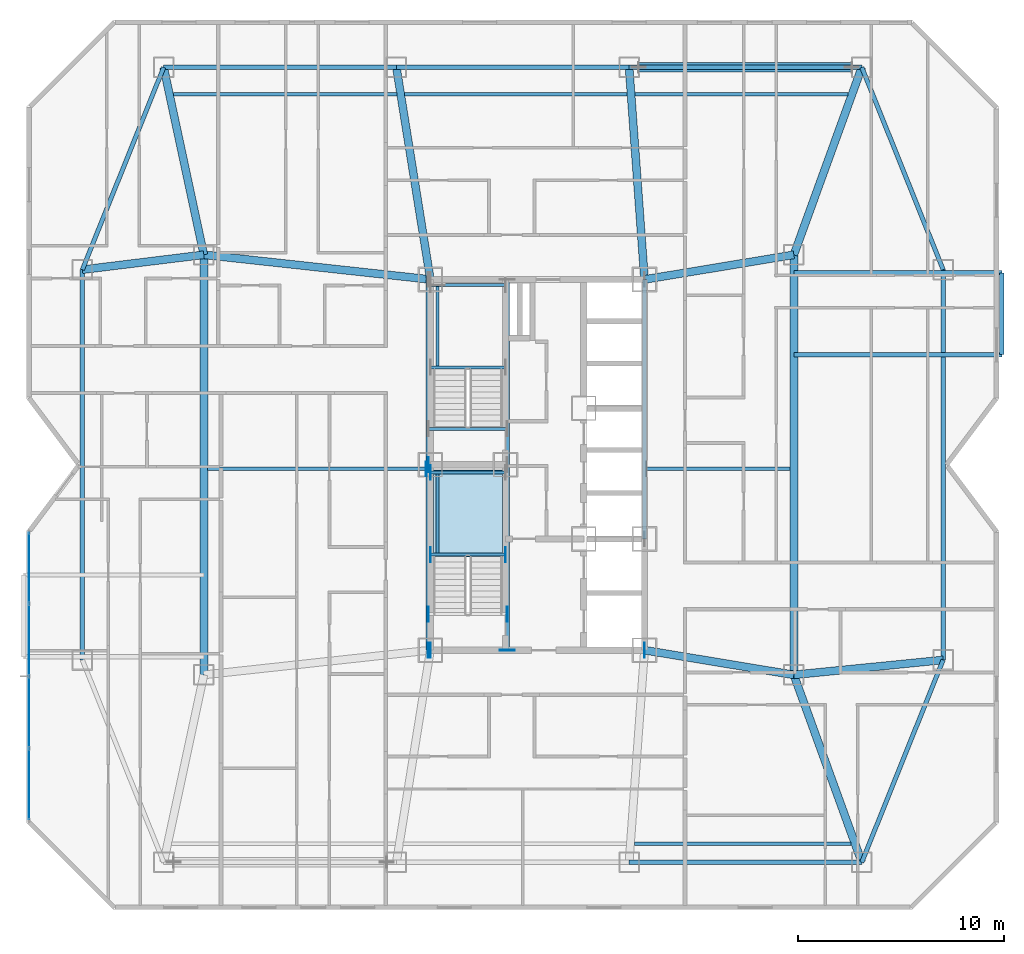
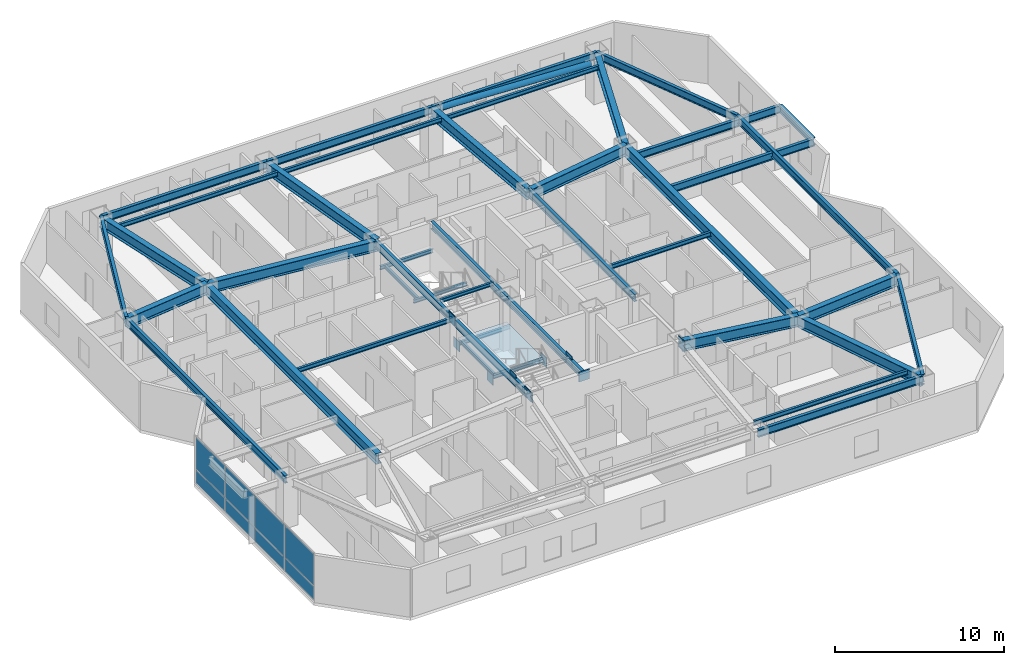
# One storey, part 7 of 18: 42 beams, 20 plates, 1 member, 1 slab, 2 elements without a shape of their own.
"""IFC4 building model written with IfcOpenShell, lengths in metres."""

from ifc_helpers import new_model, si_unit, direction, frame, origin, origin_2d, place, context, subcontext, project, spatial, polyline, rectangle, hollow_circle, i_section, outline, extrude, material, layer, layer_set, material_profile, profile_set, type_object, element, aggregate, save


model = new_model("IFC4")

# Units and contexts
model_context = context("Model", 3, precision=1e-05, world=origin(), true_north=direction((0.0, 1.0)))
body_context = subcontext(model_context, "Body", "Model", "MODEL_VIEW")
ifc_project = project(units=[si_unit("LENGTHUNIT", "METRE"), si_unit("AREAUNIT", "SQUARE_METRE"), si_unit("VOLUMEUNIT", "CUBIC_METRE"), si_unit("PLANEANGLEUNIT", "RADIAN"), si_unit("MASSUNIT", "GRAM", prefix="KILO")], contexts=[model_context])

# Site, building, storey
site_placement = place(None, origin())
site = spatial("IfcSite", under=ifc_project, at=site_placement, CompositionType="ELEMENT")
building_placement = place(site_placement, origin())
building = spatial("IfcBuilding", under=site, at=building_placement, Name="Khamvora Tower", CompositionType="ELEMENT")
storey_placement = place(building_placement, frame((0.0, 0.0, 109.199951171875)))
storey = spatial("IfcBuildingStorey", under=building, at=storey_placement, Name="L27", CompositionType="ELEMENT", Elevation=109.199951171875)

# Beams
ifc_material_1 = material(Name="Steel S355", Category="steel")
ifc_material_profile_1 = material_profile(ifc_material_1, i_section(OverallWidth=0.166015625, OverallDepth=0.31298828125, WebThickness=0.007080078125, FlangeThickness=0.010986328125, FilletRadius=0.010009765625, at=origin_2d()), Name="W310x45")
ifc_profile_set_1 = profile_set([ifc_material_profile_1], Name="Steel S355")
beam_type_1 = type_object("IfcBeamType", Name="BM-JS-W310x45", PredefinedType="JOIST", material=ifc_profile_set_1)
beam_1_placement = place(storey_placement, frame((38.902099609375, 9.60009765625, 3.274169921875), z_axis=(1.0, 0.0, 0.0), x_axis=(0.0, 1.0, 0.0)))
element("IfcBeam", 1, at=beam_1_placement, inside=storey, type_object=beam_type_1, Name="L27 secondary floor joist 03", PredefinedType="JOIST", context=body_context, shape_type="SweptSolid", body=[
    extrude(i_section(OverallWidth=0.166015625, OverallDepth=0.31298828125, WebThickness=0.007080078125, FlangeThickness=0.010986328125, FilletRadius=0.010009765625, at=origin_2d()), origin(), (0.0, 0.0, 1.0), 10.52392578125),
])
beam_2_placement = place(storey_placement, frame((18.18603515625, 27.800048828125, 3.274169921875), z_axis=(1.0, 0.0, 0.0), x_axis=(0.0, 1.0, 0.0)))
element("IfcBeam", 2, at=beam_2_placement, inside=storey, type_object=beam_type_1, Name="L27 secondary floor joist 04", PredefinedType="JOIST", context=body_context, shape_type="SweptSolid", body=[
    extrude(i_section(OverallWidth=0.166015625, OverallDepth=0.31298828125, WebThickness=0.007080078125, FlangeThickness=0.010986328125, FilletRadius=0.010009765625, at=origin_2d()), origin(), (0.0, 0.0, 1.0), 10.614013671875),
])
beam_3_placement = place(storey_placement, frame((39.4990234375, 27.800048828125, 3.274169921875), z_axis=(1.0, 0.0, 0.0), x_axis=(0.0, 1.0, 0.0)))
element("IfcBeam", 3, at=beam_3_placement, inside=storey, type_object=beam_type_1, Name="L27 secondary floor joist 05", PredefinedType="JOIST", context=body_context, shape_type="SweptSolid", body=[
    extrude(i_section(OverallWidth=0.166015625, OverallDepth=0.31298828125, WebThickness=0.007080078125, FlangeThickness=0.010986328125, FilletRadius=0.010009765625, at=origin_2d()), origin(), (0.0, 0.0, 1.0), 6.966064453125),
])
beam_4_placement = place(storey_placement, frame((16.51806640625, 46.0, 3.274169921875), z_axis=(1.0, 0.0, 0.0), x_axis=(0.0, 1.0, 0.0)))
element("IfcBeam", 4, at=beam_4_placement, inside=storey, type_object=beam_type_1, Name="L27 secondary floor joist 06", PredefinedType="JOIST", context=body_context, shape_type="SweptSolid", body=[
    extrude(i_section(OverallWidth=0.166015625, OverallDepth=0.31298828125, WebThickness=0.007080078125, FlangeThickness=0.010986328125, FilletRadius=0.010009765625, at=origin_2d()), origin(), (0.0, 0.0, 1.0), 10.85205078125),
])
beam_5_placement = place(storey_placement, frame((27.74609375, 46.0, 3.274169921875), z_axis=(1.0, 0.0, 0.0), x_axis=(0.0, 1.0, 0.0)))
element("IfcBeam", 5, at=beam_5_placement, inside=storey, type_object=beam_type_1, Name="L27 secondary floor joist 07", PredefinedType="JOIST", context=body_context, shape_type="SweptSolid", body=[
    extrude(i_section(OverallWidth=0.166015625, OverallDepth=0.31298828125, WebThickness=0.007080078125, FlangeThickness=0.010986328125, FilletRadius=0.010009765625, at=origin_2d()), origin(), (0.0, 0.0, 1.0), 10.81298828125),
])
beam_6_placement = place(storey_placement, frame((38.930908203125, 46.0, 3.274169921875), z_axis=(1.0, 0.0, 0.0), x_axis=(0.0, 1.0, 0.0)))
element("IfcBeam", 6, at=beam_6_placement, inside=storey, type_object=beam_type_1, Name="L27 secondary floor joist 08", PredefinedType="JOIST", context=body_context, shape_type="SweptSolid", body=[
    extrude(i_section(OverallWidth=0.166015625, OverallDepth=0.31298828125, WebThickness=0.007080078125, FlangeThickness=0.010986328125, FilletRadius=0.010009765625, at=origin_2d()), origin(), (0.0, 0.0, 1.0), 10.35009765625),
])
ifc_material_profile_2 = material_profile(ifc_material_1, i_section(OverallWidth=0.14697265625, OverallDepth=0.261962890625, WebThickness=0.007080078125, FlangeThickness=0.010986328125, FilletRadius=0.008056640625, at=origin_2d()), Name="W250x39")
ifc_profile_set_2 = profile_set([ifc_material_profile_2], Name="Steel S355")
beam_type_2 = type_object("IfcBeamType", Name="BM-LN-W250x39", PredefinedType="LINTEL", material=ifc_profile_set_2)
for number, where, z_axis, x_axis, name in (
    (7, (29.0, 23.635009765625, 1.494140625), (1.0, 0.0, 0.0), (0.0, 1.0, 0.0), "L27 ST-01 half-landing support beam 1.1"),
    (8, (29.0, 27.6298828125, 1.494140625), (1.0, 0.0, 0.0), (0.0, 1.0, 0.0), "L27 ST-01 half-landing support beam 1.2"),
):
    element("IfcBeam", number, at=place(storey_placement, frame(where, z_axis=z_axis, x_axis=x_axis)), inside=storey, type_object=beam_type_2, Name=name, PredefinedType="LINTEL", context=body_context, shape_type="SweptSolid", body=[
        extrude(i_section(OverallWidth=0.14697265625, OverallDepth=0.261962890625, WebThickness=0.007080078125, FlangeThickness=0.010986328125, FilletRadius=0.008056640625, at=origin_2d()), origin(), (0.0, 0.0, 1.0), 3.64990234375),
    ])
beam_7_placement = place(storey_placement, frame((29.35009765625, 23.635009765625, 1.494140625), z_axis=(0.0, 1.0, 0.0), x_axis=(-1.0, 0.0, 0.0)))
element("IfcBeam", 9, at=beam_7_placement, inside=storey, type_object=beam_type_2, Name="L27 ST-01 half-landing edge stringer 1", PredefinedType="LINTEL", context=body_context, shape_type="SweptSolid", body=[
    extrude(i_section(OverallWidth=0.14697265625, OverallDepth=0.261962890625, WebThickness=0.007080078125, FlangeThickness=0.010986328125, FilletRadius=0.008056640625, at=origin_2d()), origin(), (0.0, 0.0, 1.0), 3.994873046875),
])
for number, where, z_axis, x_axis, name in (
    (10, (29.0, 32.735107421875, 1.494140625), (1.0, 0.0, 0.0), (0.0, 1.0, 0.0), "L27 ST-02 half-landing support beam 1.1"),
    (11, (29.0, 36.72998046875, 1.494140625), (1.0, 0.0, 0.0), (0.0, 1.0, 0.0), "L27 ST-02 half-landing support beam 1.2"),
):
    element("IfcBeam", number, at=place(storey_placement, frame(where, z_axis=z_axis, x_axis=x_axis)), inside=storey, type_object=beam_type_2, Name=name, PredefinedType="LINTEL", context=body_context, shape_type="SweptSolid", body=[
        extrude(i_section(OverallWidth=0.14697265625, OverallDepth=0.261962890625, WebThickness=0.007080078125, FlangeThickness=0.010986328125, FilletRadius=0.008056640625, at=origin_2d()), origin(), (0.0, 0.0, 1.0), 3.64990234375),
    ])
beam_8_placement = place(storey_placement, frame((29.35009765625, 32.735107421875, 1.494140625), z_axis=(0.0, 1.0, 0.0), x_axis=(-1.0, 0.0, 0.0)))
element("IfcBeam", 12, at=beam_8_placement, inside=storey, type_object=beam_type_2, Name="L27 ST-02 half-landing edge stringer 1", PredefinedType="LINTEL", context=body_context, shape_type="SweptSolid", body=[
    extrude(i_section(OverallWidth=0.14697265625, OverallDepth=0.261962890625, WebThickness=0.007080078125, FlangeThickness=0.010986328125, FilletRadius=0.008056640625, at=origin_2d()), origin(), (0.0, 0.0, 1.0), 3.994873046875),
])
beam_9_placement = place(storey_placement, frame((28.89990234375, 29.75, 3.303955078125), z_axis=(1.0, 0.0, 0.0), x_axis=(0.0, 1.0, 0.0)))
element("IfcBeam", 13, at=beam_9_placement, inside=storey, type_object=beam_type_2, Name="L27 exit stair ST-02 landing trimmer beam", PredefinedType="LINTEL", context=body_context, shape_type="SweptSolid", body=[
    extrude(i_section(OverallWidth=0.14697265625, OverallDepth=0.261962890625, WebThickness=0.007080078125, FlangeThickness=0.010986328125, FilletRadius=0.008056640625, at=origin_2d()), origin(), (0.0, 0.0, 1.0), 3.830078125),
])
ifc_material_profile_3 = material_profile(ifc_material_1, i_section(OverallWidth=0.381103515625, OverallDepth=0.77294921875, WebThickness=0.01708984375, FlangeThickness=0.027099609375, FilletRadius=0.01806640625, at=origin_2d()), Name="W760x257")
ifc_profile_set_3 = profile_set([ifc_material_profile_3], Name="Steel S355")
beam_type_3 = type_object("IfcBeamType", Name="BM-PG-W760x257", PredefinedType="BEAM", material=ifc_profile_set_3)
for number, where, z_axis, x_axis, name in (
    (14, (46.64990234375, 17.800048828125, 3.04296875), (0.0, 1.0, 0.0), (-1.0, 0.0, 0.0), "L27 longitudinal frame girder M1-M2"),
    (15, (18.0, 17.800048828125, 3.04296875), (0.0, 1.0, 0.0), (-1.0, 0.0, 0.0), "L27 longitudinal frame girder MW1-MW2"),
):
    element("IfcBeam", number, at=place(storey_placement, frame(where, z_axis=z_axis, x_axis=x_axis)), inside=storey, type_object=beam_type_3, Name=name, PredefinedType="BEAM", context=body_context, shape_type="SweptSolid", body=[
        extrude(i_section(OverallWidth=0.381103515625, OverallDepth=0.77294921875, WebThickness=0.01708984375, FlangeThickness=0.027099609375, FilletRadius=0.01806640625, at=origin_2d()), origin(), (0.0, 0.0, 1.0), 20.39990234375),
    ])
beam_10_placement = place(storey_placement, frame((46.64990234375, 17.800048828125, 3.04296875), z_axis=(0.340914681567, -0.940094239899, 0.0), x_axis=(0.940094239899, 0.340914681567, 0.0)))
element("IfcBeam", 16, at=beam_10_placement, inside=storey, type_object=beam_type_3, Name="L27 primary floor girder S4", PredefinedType="BEAM", context=body_context, shape_type="SweptSolid", body=[
    extrude(i_section(OverallWidth=0.381103515625, OverallDepth=0.77294921875, WebThickness=0.01708984375, FlangeThickness=0.027099609375, FilletRadius=0.01806640625, at=origin_2d()), origin(), (0.0, 0.0, 1.0), 9.679931640625),
])
beam_11_placement = place(storey_placement, frame((18.0, 38.199951171875, 3.04296875), z_axis=(-0.209521922673, 0.977803949634, 0.0), x_axis=(-0.977803949634, -0.209521922673, 0.0)))
element("IfcBeam", 17, at=beam_11_placement, inside=storey, type_object=beam_type_3, Name="L27 primary floor girder N1", PredefinedType="BEAM", context=body_context, shape_type="SweptSolid", body=[
    extrude(i_section(OverallWidth=0.381103515625, OverallDepth=0.77294921875, WebThickness=0.01708984375, FlangeThickness=0.027099609375, FilletRadius=0.01806640625, at=origin_2d()), origin(), (0.0, 0.0, 1.0), 9.306640625),
])
beam_12_placement = place(storey_placement, frame((29.0, 37.0, 3.04296875), z_axis=(-0.158167584066, 0.987412282358, 0.0), x_axis=(-0.987412282358, -0.158167584066, 0.0)))
element("IfcBeam", 18, at=beam_12_placement, inside=storey, type_object=beam_type_3, Name="L27 primary floor girder N2", PredefinedType="BEAM", context=body_context, shape_type="SweptSolid", body=[
    extrude(i_section(OverallWidth=0.381103515625, OverallDepth=0.77294921875, WebThickness=0.01708984375, FlangeThickness=0.027099609375, FilletRadius=0.01806640625, at=origin_2d()), origin(), (0.0, 0.0, 1.0), 10.431396484375),
])
beam_13_placement = place(storey_placement, frame((39.39990234375, 37.0, 3.04296875), z_axis=(-0.07262291808, 0.997359469685, 0.0), x_axis=(-0.997359469685, -0.07262291808, 0.0)))
element("IfcBeam", 19, at=beam_13_placement, inside=storey, type_object=beam_type_3, Name="L27 primary floor girder N3", PredefinedType="BEAM", context=body_context, shape_type="SweptSolid", body=[
    extrude(i_section(OverallWidth=0.381103515625, OverallDepth=0.77294921875, WebThickness=0.01708984375, FlangeThickness=0.027099609375, FilletRadius=0.01806640625, at=origin_2d()), origin(), (0.0, 0.0, 1.0), 10.327392578125),
])
beam_14_placement = place(storey_placement, frame((46.64990234375, 38.199951171875, 3.04296875), z_axis=(0.340914681567, 0.940094239899, 0.0), x_axis=(-0.940094239899, 0.340914681567, 0.0)))
element("IfcBeam", 20, at=beam_14_placement, inside=storey, type_object=beam_type_3, Name="L27 primary floor girder N4", PredefinedType="BEAM", context=body_context, shape_type="SweptSolid", body=[
    extrude(i_section(OverallWidth=0.381103515625, OverallDepth=0.77294921875, WebThickness=0.01708984375, FlangeThickness=0.027099609375, FilletRadius=0.01806640625, at=origin_2d()), origin(), (0.0, 0.0, 1.0), 9.679931640625),
])
beam_15_placement = place(storey_placement, frame((18.0, 38.199951171875, 3.04296875), z_axis=(-0.992537264608, -0.12194170068, 0.0), x_axis=(0.12194170068, -0.992537264608, 0.0)))
element("IfcBeam", 21, at=beam_15_placement, inside=storey, type_object=beam_type_3, Name="L27 primary floor girder W2", PredefinedType="BEAM", context=body_context, shape_type="SweptSolid", body=[
    extrude(i_section(OverallWidth=0.381103515625, OverallDepth=0.77294921875, WebThickness=0.01708984375, FlangeThickness=0.027099609375, FilletRadius=0.01806640625, at=origin_2d()), origin(), (0.0, 0.0, 1.0), 5.9443359375),
])
beam_16_placement = place(storey_placement, frame((46.64990234375, 17.800048828125, 3.04296875), z_axis=(0.995039180556, 0.099483813546, 0.0), x_axis=(-0.099483813546, 0.995039180556, 0.0)))
element("IfcBeam", 22, at=beam_16_placement, inside=storey, type_object=beam_type_3, Name="L27 primary floor girder E1", PredefinedType="BEAM", context=body_context, shape_type="SweptSolid", body=[
    extrude(i_section(OverallWidth=0.381103515625, OverallDepth=0.77294921875, WebThickness=0.01708984375, FlangeThickness=0.027099609375, FilletRadius=0.01806640625, at=origin_2d()), origin(), (0.0, 0.0, 1.0), 7.2861328125),
])
beam_17_placement = place(storey_placement, frame((29.0, 37.0, 3.04296875), z_axis=(-0.994102652327, 0.108443149329, 0.0), x_axis=(-0.108443149329, -0.994102652327, 0.0)))
element("IfcBeam", 23, at=beam_17_placement, inside=storey, type_object=beam_type_3, Name="L27 primary floor girder MW2", PredefinedType="BEAM", context=body_context, shape_type="SweptSolid", body=[
    extrude(i_section(OverallWidth=0.381103515625, OverallDepth=0.77294921875, WebThickness=0.01708984375, FlangeThickness=0.027099609375, FilletRadius=0.01806640625, at=origin_2d()), origin(), (0.0, 0.0, 1.0), 11.065185546875),
])
for number, where, z_axis, x_axis, name in (
    (24, (39.39990234375, 19.0, 3.04296875), (0.986578268552, -0.163289068896, 0.0), (0.163289068896, 0.986578268552, 0.0), "L27 primary floor girder M1"),
    (25, (39.39990234375, 37.0, 3.04296875), (0.986578268552, 0.163289068896, 0.0), (-0.163289068896, 0.986578268552, 0.0), "L27 primary floor girder M2"),
):
    element("IfcBeam", number, at=place(storey_placement, frame(where, z_axis=z_axis, x_axis=x_axis)), inside=storey, type_object=beam_type_3, Name=name, PredefinedType="BEAM", context=body_context, shape_type="SweptSolid", body=[
        extrude(i_section(OverallWidth=0.381103515625, OverallDepth=0.77294921875, WebThickness=0.01708984375, FlangeThickness=0.027099609375, FilletRadius=0.01806640625, at=origin_2d()), origin(), (0.0, 0.0, 1.0), 7.3486328125),
    ])
ifc_material_profile_4 = material_profile(ifc_material_1, i_section(OverallWidth=0.2119140625, OverallDepth=0.5439453125, WebThickness=0.012939453125, FlangeThickness=0.02099609375, FilletRadius=0.013916015625, at=origin_2d()), Name="W530x123")
ifc_profile_set_4 = profile_set([ifc_material_profile_4], Name="Steel S355")
beam_type_4 = type_object("IfcBeamType", Name="BM-SP-W530x123", PredefinedType="SPANDREL", material=ifc_profile_set_4)
beam_18_placement = place(storey_placement, frame((38.64990234375, 8.699951171875, 3.157958984375), z_axis=(1.0, 0.0, 0.0), x_axis=(0.0, 1.0, 0.0)))
element("IfcBeam", 26, at=beam_18_placement, inside=storey, type_object=beam_type_4, Name="L27 perimeter spandrel beam S3-S4", PredefinedType="SPANDREL", context=body_context, shape_type="SweptSolid", body=[
    extrude(i_section(OverallWidth=0.2119140625, OverallDepth=0.5439453125, WebThickness=0.012939453125, FlangeThickness=0.02099609375, FilletRadius=0.013916015625, at=origin_2d()), origin(), (0.0, 0.0, 1.0), 11.300048828125),
])
beam_19_placement = place(storey_placement, frame((49.949951171875, 8.699951171875, 3.157958984375), z_axis=(0.373015921536, 0.927824941614, 0.0), x_axis=(-0.927824941614, 0.373015921536, 0.0)))
element("IfcBeam", 27, at=beam_19_placement, inside=storey, type_object=beam_type_4, Name="L27 perimeter spandrel beam S4-E1", PredefinedType="SPANDREL", context=body_context, shape_type="SweptSolid", body=[
    extrude(i_section(OverallWidth=0.2119140625, OverallDepth=0.5439453125, WebThickness=0.012939453125, FlangeThickness=0.02099609375, FilletRadius=0.013916015625, at=origin_2d()), origin(), (0.0, 0.0, 1.0), 10.589111328125),
])
beam_20_placement = place(storey_placement, frame((53.89990234375, 18.52490234375, 3.157958984375), z_axis=(0.0, 1.0, 0.0), x_axis=(-1.0, 0.0, 0.0)))
element("IfcBeam", 28, at=beam_20_placement, inside=storey, type_object=beam_type_4, Name="L27 perimeter spandrel beam E1-E2", PredefinedType="SPANDREL", context=body_context, shape_type="SweptSolid", body=[
    extrude(i_section(OverallWidth=0.2119140625, OverallDepth=0.5439453125, WebThickness=0.012939453125, FlangeThickness=0.02099609375, FilletRadius=0.013916015625, at=origin_2d()), origin(), (0.0, 0.0, 1.0), 18.9501953125),
])
beam_21_placement = place(storey_placement, frame((53.89990234375, 37.47509765625, 3.157958984375), z_axis=(-0.373015921536, 0.927824941614, 0.0), x_axis=(-0.927824941614, -0.373015921536, 0.0)))
element("IfcBeam", 29, at=beam_21_placement, inside=storey, type_object=beam_type_4, Name="L27 perimeter spandrel beam E2-N4", PredefinedType="SPANDREL", context=body_context, shape_type="SweptSolid", body=[
    extrude(i_section(OverallWidth=0.2119140625, OverallDepth=0.5439453125, WebThickness=0.012939453125, FlangeThickness=0.02099609375, FilletRadius=0.013916015625, at=origin_2d()), origin(), (0.0, 0.0, 1.0), 10.589111328125),
])
beam_22_placement = place(storey_placement, frame((49.949951171875, 47.300048828125, 3.157958984375), z_axis=(-1.0, 0.0, 0.0), x_axis=(0.0, -1.0, 0.0)))
element("IfcBeam", 30, at=beam_22_placement, inside=storey, type_object=beam_type_4, Name="L27 perimeter spandrel beam N4-N3", PredefinedType="SPANDREL", context=body_context, shape_type="SweptSolid", body=[
    extrude(i_section(OverallWidth=0.2119140625, OverallDepth=0.5439453125, WebThickness=0.012939453125, FlangeThickness=0.02099609375, FilletRadius=0.013916015625, at=origin_2d()), origin(), (0.0, 0.0, 1.0), 11.300048828125),
])
beam_23_placement = place(storey_placement, frame((38.64990234375, 47.300048828125, 3.157958984375), z_axis=(-1.0, 0.0, 0.0), x_axis=(0.0, -1.0, 0.0)))
element("IfcBeam", 31, at=beam_23_placement, inside=storey, type_object=beam_type_4, Name="L27 perimeter spandrel beam N3-N2", PredefinedType="SPANDREL", context=body_context, shape_type="SweptSolid", body=[
    extrude(i_section(OverallWidth=0.2119140625, OverallDepth=0.5439453125, WebThickness=0.012939453125, FlangeThickness=0.02099609375, FilletRadius=0.013916015625, at=origin_2d()), origin(), (0.0, 0.0, 1.0), 11.2998046875),
])
beam_24_placement = place(storey_placement, frame((27.35009765625, 47.300048828125, 3.157958984375), z_axis=(-1.0, 0.0, 0.0), x_axis=(0.0, -1.0, 0.0)))
element("IfcBeam", 32, at=beam_24_placement, inside=storey, type_object=beam_type_4, Name="L27 perimeter spandrel beam N2-N1", PredefinedType="SPANDREL", context=body_context, shape_type="SweptSolid", body=[
    extrude(i_section(OverallWidth=0.2119140625, OverallDepth=0.5439453125, WebThickness=0.012939453125, FlangeThickness=0.02099609375, FilletRadius=0.013916015625, at=origin_2d()), origin(), (0.0, 0.0, 1.0), 11.300048828125),
])
beam_25_placement = place(storey_placement, frame((16.050048828125, 47.300048828125, 3.157958984375), z_axis=(-0.373015921536, -0.927824941614, 0.0), x_axis=(0.927824941614, -0.373015921536, 0.0)))
element("IfcBeam", 33, at=beam_25_placement, inside=storey, type_object=beam_type_4, Name="L27 perimeter spandrel beam N1-W2", PredefinedType="SPANDREL", context=body_context, shape_type="SweptSolid", body=[
    extrude(i_section(OverallWidth=0.2119140625, OverallDepth=0.5439453125, WebThickness=0.012939453125, FlangeThickness=0.02099609375, FilletRadius=0.013916015625, at=origin_2d()), origin(), (0.0, 0.0, 1.0), 10.589111328125),
])
beam_26_placement = place(storey_placement, frame((12.10009765625, 37.47509765625, 3.157958984375), z_axis=(0.0, -1.0, 0.0), x_axis=(1.0, 0.0, 0.0)))
element("IfcBeam", 34, at=beam_26_placement, inside=storey, type_object=beam_type_4, Name="L27 perimeter spandrel beam W2-W1", PredefinedType="SPANDREL", context=body_context, shape_type="SweptSolid", body=[
    extrude(i_section(OverallWidth=0.2119140625, OverallDepth=0.5439453125, WebThickness=0.012939453125, FlangeThickness=0.02099609375, FilletRadius=0.013916015625, at=origin_2d()), origin(), (0.0, 0.0, 1.0), 18.9501953125),
])
ifc_material_profile_5 = material_profile(ifc_material_1, i_section(OverallWidth=0.208984375, OverallDepth=0.532958984375, WebThickness=0.010009765625, FlangeThickness=0.01611328125, FilletRadius=0.013916015625, at=origin_2d()), Name="W530x92")
ifc_profile_set_5 = profile_set([ifc_material_profile_5], Name="Steel S355")
beam_type_5 = type_object("IfcBeamType", Name="BM-SP-W530x92", PredefinedType="SPANDREL", material=ifc_profile_set_5)
for number, where, z_axis, x_axis, name in (
    (35, (28.89990234375, 19.0, 3.1640625), (0.0, 1.0, 0.0), (-1.0, 0.0, 0.0), "L27 core spine girder WS"),
    (36, (28.89990234375, 28.0, 3.1640625), (0.0, 1.0, 0.0), (-1.0, 0.0, 0.0), "L27 core spine girder WN"),
    (37, (32.72998046875, 19.0, 3.1640625), (0.0, 1.0, 0.0), (-1.0, 0.0, 0.0), "L27 core spine girder M1S"),
    (38, (32.72998046875, 28.0, 3.1640625), (0.0, 1.0, 0.0), (-1.0, 0.0, 0.0), "L27 core spine girder M1N"),
):
    element("IfcBeam", number, at=place(storey_placement, frame(where, z_axis=z_axis, x_axis=x_axis)), inside=storey, type_object=beam_type_5, Name=name, PredefinedType="SPANDREL", context=body_context, shape_type="SweptSolid", body=[
        extrude(i_section(OverallWidth=0.208984375, OverallDepth=0.532958984375, WebThickness=0.010009765625, FlangeThickness=0.01611328125, FilletRadius=0.013916015625, at=origin_2d()), origin(), (0.0, 0.0, 1.0), 9.0),
    ])
beam_27_placement = place(storey_placement, frame((39.39990234375, 24.39990234375, 3.1640625), z_axis=(0.0, 1.0, 0.0), x_axis=(-1.0, 0.0, 0.0)))
element("IfcBeam", 39, at=beam_27_placement, inside=storey, type_object=beam_type_5, Name="L27 core spine girder EN", PredefinedType="SPANDREL", context=body_context, shape_type="SweptSolid", body=[
    extrude(i_section(OverallWidth=0.208984375, OverallDepth=0.532958984375, WebThickness=0.010009765625, FlangeThickness=0.01611328125, FilletRadius=0.013916015625, at=origin_2d()), origin(), (0.0, 0.0, 1.0), 12.60009765625),
])
for number, where, z_axis, x_axis, name in (
    (40, (46.64990234375, 33.35009765625, 2.964111328125), (1.0, 0.0, 0.0), (0.0, 1.0, 0.0), "L27 continuous gallery cantilever girder L28-EL2-1"),
    (41, (46.64990234375, 37.324951171875, 2.964111328125), (1.0, 0.0, 0.0), (0.0, 1.0, 0.0), "L27 continuous gallery cantilever girder L28-EL2-2"),
):
    element("IfcBeam", number, at=place(storey_placement, frame(where, z_axis=z_axis, x_axis=x_axis)), inside=storey, type_object=beam_type_5, Name=name, PredefinedType="SPANDREL", context=body_context, shape_type="SweptSolid", body=[
        extrude(i_section(OverallWidth=0.208984375, OverallDepth=0.532958984375, WebThickness=0.010009765625, FlangeThickness=0.01611328125, FilletRadius=0.013916015625, at=origin_2d()), origin(), (0.0, 0.0, 1.0), 10.10009765625),
    ])
beam_28_placement = place(storey_placement, frame((56.75, 33.35009765625, 2.964111328125), z_axis=(0.0, 1.0, 0.0), x_axis=(-1.0, 0.0, 0.0)))
element("IfcBeam", 42, at=beam_28_placement, inside=storey, type_object=beam_type_5, Name="L27 external gallery edge header beam L28-EL2", PredefinedType="SPANDREL", context=body_context, shape_type="SweptSolid", body=[
    extrude(i_section(OverallWidth=0.208984375, OverallDepth=0.532958984375, WebThickness=0.010009765625, FlangeThickness=0.01611328125, FilletRadius=0.013916015625, at=origin_2d()), origin(), (0.0, 0.0, 1.0), 3.974853515625),
])

# Member
ifc_material_profile_6 = material_profile(ifc_material_1, hollow_circle(Radius=0.228515625, WallThickness=0.02001953125, at=origin_2d()), Name="CHS457x20")
ifc_profile_set_6 = profile_set([ifc_material_profile_6], Name="Steel S355")
member_type = type_object("IfcMemberType", Name="MEM-BR-CHS457", PredefinedType="BRACE", material=ifc_profile_set_6)
member_placement = place(storey_placement, frame((49.469970703125, 47.300048828125, 2.699951171875), z_axis=(-0.99909108027, 0.0, 0.042626439262), x_axis=(0.0, -1.0, 0.0)))
element("IfcMember", 43, at=member_placement, inside=storey, type_object=member_type, Name="L27 perimeter wind brace 2", PredefinedType="BRACE", context=body_context, shape_type="SweptSolid", body=[
    extrude(hollow_circle(Radius=0.228515625, WallThickness=0.02001953125, at=origin_2d()), origin(), (0.0, 0.0, 1.0), 10.349609375),
])

# Curtain wall, plates
ifc_material_2 = material(Name="Anodised Aluminium 6063-T6", Category="aluminium")
curtain_wall_type = type_object("IfcCurtainWallType", Name="CW-SYS-03", PredefinedType="NOTDEFINED", material=ifc_material_2)
curtain_wall_placement = place(storey_placement, origin())
curtain_wall = element("IfcCurtainWall", 44, at=curtain_wall_placement, inside=storey, type_object=curtain_wall_type, Name="L27 stick curtain wall 02.1", PredefinedType="NOTDEFINED")
ifc_material_3 = material(Name="Low-E Laminated Double Glazing", Category="glass")
ifc_layer_1 = layer(ifc_material_3, 0.030029296875)
ifc_layer_set_1 = layer_set([ifc_layer_1], Name="Low-E Laminated Double Glazing")
plate_type_1 = type_object("IfcPlateType", Name="CW-SYS-03-PNL", PredefinedType="CURTAIN_PANEL", material=ifc_layer_set_1)
plate_1_placement = place(storey_placement, frame((9.510009765625, 12.489013671875, 0.06494140625), z_axis=(0.0, 0.0, 1.0), x_axis=(0.0, 1.0, 0.0)))
plate_1 = element("IfcPlate", 45, at=plate_1_placement, type_object=plate_type_1, Name="CW-03 panel 1.1", PredefinedType="CURTAIN_PANEL", context=body_context, shape_type="SweptSolid", body=[
    extrude(rectangle(XDim=3.4140625, YDim=0.030029296875, at=origin_2d()), origin(), (0.0, 0.0, 1.0), 0.952392578125),
])
plate_2_placement = place(storey_placement, frame((9.510009765625, 12.489013671875, 1.08251953125), z_axis=(0.0, 0.0, 1.0), x_axis=(0.0, 1.0, 0.0)))
plate_2 = element("IfcPlate", 46, at=plate_2_placement, type_object=plate_type_1, Name="CW-03 panel 1.2", PredefinedType="CURTAIN_PANEL", context=body_context, shape_type="SweptSolid", body=[
    extrude(rectangle(XDim=3.4140625, YDim=0.030029296875, at=origin_2d()), origin(), (0.0, 0.0, 1.0), 2.282470703125),
])
plate_3_placement = place(storey_placement, frame((9.510009765625, 15.984130859375, 0.06494140625), z_axis=(0.0, 0.0, 1.0), x_axis=(0.0, 1.0, 0.0)))
plate_3 = element("IfcPlate", 47, at=plate_3_placement, type_object=plate_type_1, Name="CW-03 panel 2.1", PredefinedType="CURTAIN_PANEL", context=body_context, shape_type="SweptSolid", body=[
    extrude(rectangle(XDim=3.446533203125, YDim=0.030029296875, at=origin_2d()), origin(), (0.0, 0.0, 1.0), 0.952392578125),
])
plate_4_placement = place(storey_placement, frame((9.510009765625, 15.984130859375, 1.08251953125), z_axis=(0.0, 0.0, 1.0), x_axis=(0.0, 1.0, 0.0)))
plate_4 = element("IfcPlate", 48, at=plate_4_placement, type_object=plate_type_1, Name="CW-03 panel 2.2", PredefinedType="CURTAIN_PANEL", context=body_context, shape_type="SweptSolid", body=[
    extrude(rectangle(XDim=3.446533203125, YDim=0.030029296875, at=origin_2d()), origin(), (0.0, 0.0, 1.0), 2.282470703125),
])
plate_5_placement = place(storey_placement, frame((9.510009765625, 19.495849609375, 0.06494140625), z_axis=(0.0, 0.0, 1.0), x_axis=(0.0, 1.0, 0.0)))
plate_5 = element("IfcPlate", 49, at=plate_5_placement, type_object=plate_type_1, Name="CW-03 panel 3.1", PredefinedType="CURTAIN_PANEL", context=body_context, shape_type="SweptSolid", body=[
    extrude(rectangle(XDim=3.446533203125, YDim=0.030029296875, at=origin_2d()), origin(), (0.0, 0.0, 1.0), 0.952392578125),
])
plate_6_placement = place(storey_placement, frame((9.510009765625, 19.495849609375, 1.08251953125), z_axis=(0.0, 0.0, 1.0), x_axis=(0.0, 1.0, 0.0)))
plate_6 = element("IfcPlate", 50, at=plate_6_placement, type_object=plate_type_1, Name="CW-03 panel 3.2", PredefinedType="CURTAIN_PANEL", context=body_context, shape_type="SweptSolid", body=[
    extrude(rectangle(XDim=3.446533203125, YDim=0.030029296875, at=origin_2d()), origin(), (0.0, 0.0, 1.0), 2.282470703125),
])
plate_7_placement = place(storey_placement, frame((9.510009765625, 22.990966796875, 0.06494140625), z_axis=(0.0, 0.0, 1.0), x_axis=(0.0, 1.0, 0.0)))
plate_7 = element("IfcPlate", 51, at=plate_7_placement, type_object=plate_type_1, Name="CW-03 panel 4.1", PredefinedType="CURTAIN_PANEL", context=body_context, shape_type="SweptSolid", body=[
    extrude(rectangle(XDim=3.4140625, YDim=0.030029296875, at=origin_2d()), origin(), (0.0, 0.0, 1.0), 0.952392578125),
])
plate_8_placement = place(storey_placement, frame((9.510009765625, 22.990966796875, 1.08251953125), z_axis=(0.0, 0.0, 1.0), x_axis=(0.0, 1.0, 0.0)))
plate_8 = element("IfcPlate", 52, at=plate_8_placement, type_object=plate_type_1, Name="CW-03 panel 4.2", PredefinedType="CURTAIN_PANEL", context=body_context, shape_type="SweptSolid", body=[
    extrude(rectangle(XDim=3.4140625, YDim=0.030029296875, at=origin_2d()), origin(), (0.0, 0.0, 1.0), 2.282470703125),
])
aggregate(curtain_wall, [plate_1, plate_2, plate_3, plate_4, plate_5, plate_6, plate_7, plate_8])

# Plates
ifc_material_4 = material(Name="Steel S460", Category="steel")
ifc_layer_2 = layer(ifc_material_4, 0.034912109375)
ifc_layer_set_2 = layer_set([ifc_layer_2], Name="Steel S460")
plate_type_2 = type_object("IfcPlateType", Name="PL-EMB-35", PredefinedType="SHEET", material=ifc_layer_set_2)
for number, where, z_axis, x_axis, name in (
    (53, (29.0, 23.635009765625, 1.13427734375), (0.0, 0.0, 1.0), (1.0, 0.0, 0.0), "L27 core shear wall cast-in embed plate 0796"),
    (54, (32.64990234375, 23.635009765625, 1.13427734375), (0.0, 0.0, 1.0), (1.0, 0.0, 0.0), "L27 core shear wall cast-in embed plate 0797"),
    (55, (29.0, 27.6298828125, 1.13427734375), (0.0, 0.0, 1.0), (1.0, 0.0, 0.0), "L27 core shear wall cast-in embed plate 0798"),
    (56, (29.0, 19.0, 2.68310546875), (0.0, 0.0, 1.0), (1.0, 0.0, 0.0), "L27 core shear wall cast-in embed plate 0805"),
    (57, (39.39990234375, 19.0, 2.68310546875), (0.0, 0.0, 1.0), (1.0, 0.0, 0.0), "L27 core shear wall cast-in embed plate 0806"),
    (58, (28.89990234375, 19.0, 2.80419921875), (0.0, 0.0, 1.0), (1.0, 0.0, 0.0), "L27 core shear wall cast-in embed plate 0809"),
    (59, (28.89990234375, 28.0, 2.80419921875), (0.0, 0.0, 1.0), (1.0, 0.0, 0.0), "L27 core shear wall cast-in embed plate 0810"),
):
    element("IfcPlate", number, at=place(storey_placement, frame(where, z_axis=z_axis, x_axis=x_axis)), inside=storey, type_object=plate_type_2, Name=name, PredefinedType="SHEET", context=body_context, shape_type="SweptSolid", body=[
        extrude(rectangle(XDim=0.034912109375, YDim=0.719970703125, at=origin_2d()), origin(), (0.0, 0.0, 1.0), 0.719970703125),
    ])
plate_9_placement = place(storey_placement, frame((32.72998046875, 19.0, 2.80419921875), z_axis=(0.0, 0.0, 1.0), x_axis=(1.0, 0.0, 0.0)))
element("IfcPlate", 60, at=plate_9_placement, inside=storey, type_object=plate_type_2, Name="L27 core shear wall cast-in embed plate 0812", PredefinedType="SHEET", context=body_context, shape_type="SweptSolid", body=[
    extrude(rectangle(XDim=0.719970703125, YDim=0.034912109375, at=origin_2d()), origin(), (0.0, 0.0, 1.0), 0.719970703125),
])
for number, where, z_axis, x_axis, name in (
    (61, (39.39990234375, 19.0, 2.80419921875), (0.0, 0.0, 1.0), (1.0, 0.0, 0.0), "L27 core shear wall cast-in embed plate 0815"),
    (62, (28.89990234375, 20.75, 2.94384765625), (0.0, 0.0, 1.0), (1.0, 0.0, 0.0), "L27 core shear wall cast-in embed plate 0818"),
    (63, (32.72998046875, 20.75, 2.94384765625), (0.0, 0.0, 1.0), (1.0, 0.0, 0.0), "L27 core shear wall cast-in embed plate 0819"),
    (64, (28.800048828125, 27.800048828125, 2.9140625), (0.0, 0.0, 1.0), (1.0, 0.0, 0.0), "L27 core shear wall cast-in embed plate 0822"),
):
    element("IfcPlate", number, at=place(storey_placement, frame(where, z_axis=z_axis, x_axis=x_axis)), inside=storey, type_object=plate_type_2, Name=name, PredefinedType="SHEET", context=body_context, shape_type="SweptSolid", body=[
        extrude(rectangle(XDim=0.034912109375, YDim=0.719970703125, at=origin_2d()), origin(), (0.0, 0.0, 1.0), 0.719970703125),
    ])

# Stair, slab
ifc_material_5 = material(Name="Concrete C40/50", Category="concrete")
stair_type = type_object("IfcStairType", Name="STR-ST-01", PredefinedType="HALF_TURN_STAIR", material=ifc_material_5)
stair_placement = place(storey_placement, origin())
stair = element("IfcStair", 65, at=stair_placement, inside=storey, type_object=stair_type, Name="L27 South Tower Exit Stair ST-01", PredefinedType="HALF_TURN_STAIR")
ifc_layer_3 = layer(ifc_material_5, 0.199951171875)
ifc_layer_set_3 = layer_set([ifc_layer_3], Name="Concrete C40/50")
slab_type = type_object("IfcSlabType", Name="SLB-LND-200", PredefinedType="LANDING", material=ifc_layer_set_3)
slab_placement = place(storey_placement, frame((0.0, 0.0, 1.625)))
slab = element("IfcSlab", 66, at=slab_placement, type_object=slab_type, Name="ST-01 landing 1", PredefinedType="LANDING", context=body_context, shape_type="SweptSolid", body=[
    extrude(outline(polyline([(32.5, 23.514892578125), (32.5, 27.75), (29.14990234375, 27.75), (29.14990234375, 23.514892578125), (32.5, 23.514892578125)])), origin(), (0.0, 0.0, 1.0), 0.199951171875),
])
aggregate(stair, [slab])

save(model, "model.ifc")
